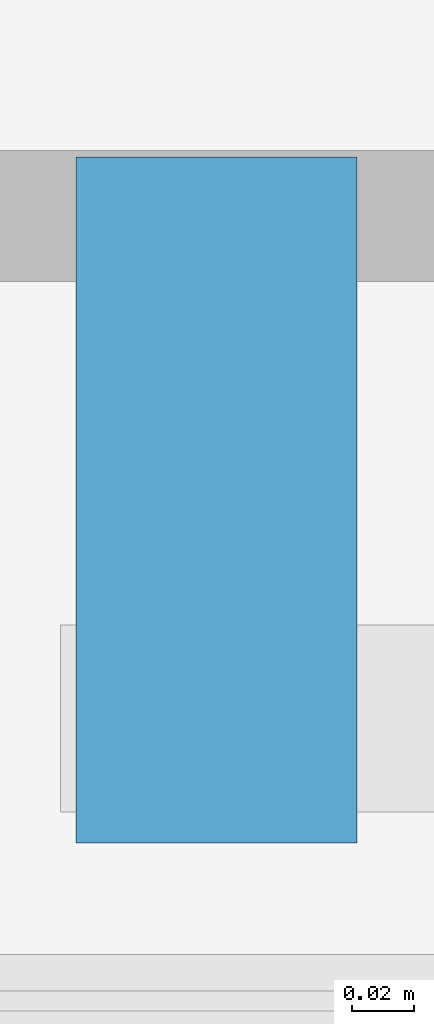
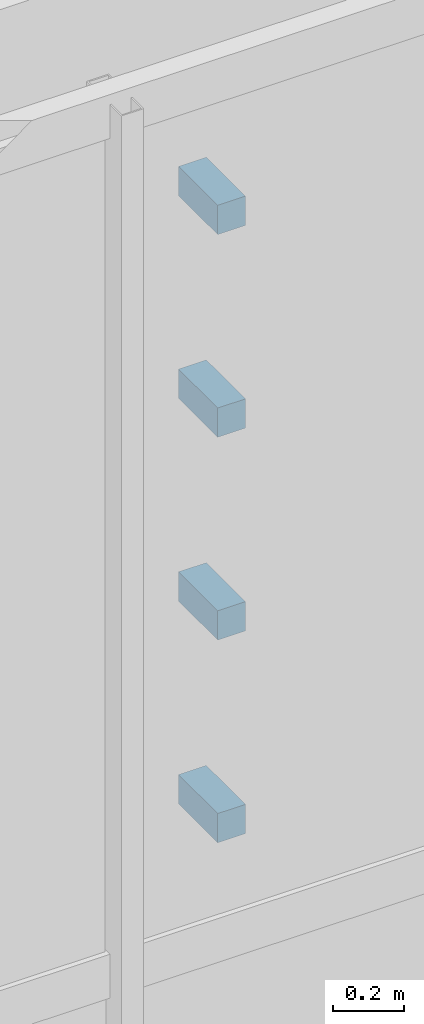
# One storey, part 33 of 38: 4 discrete accessories.
"""IFC4 building model written with IfcOpenShell, lengths in metres."""

from ifc_helpers import new_model, si_unit, direction, frame, origin, origin_2d, place, context, subcontext, project, spatial, rectangle, extrude, material, type_object, element, save


model = new_model("IFC4")

# Units and contexts
model_context = context("Model", 3, precision=1e-05, world=origin(), true_north=direction((0.0, 1.0)))
body_context = subcontext(model_context, "Body", "Model", "MODEL_VIEW")
ifc_project = project(units=[si_unit("LENGTHUNIT", "METRE"), si_unit("AREAUNIT", "SQUARE_METRE"), si_unit("VOLUMEUNIT", "CUBIC_METRE"), si_unit("PLANEANGLEUNIT", "RADIAN"), si_unit("MASSUNIT", "GRAM", prefix="KILO")], contexts=[model_context])

# Site, building, storey
site_placement = place(None, origin())
site = spatial("IfcSite", under=ifc_project, at=site_placement, CompositionType="ELEMENT")
building_placement = place(site_placement, origin())
building = spatial("IfcBuilding", under=site, at=building_placement, Name="Punatoya Terracotta Tower", CompositionType="ELEMENT")
storey_placement = place(building_placement, frame((0.0, 0.0, 147.89990234375)))
storey = spatial("IfcBuildingStorey", under=building, at=storey_placement, Name="L34", CompositionType="ELEMENT", Elevation=147.89990234375)

# Discrete accessories
ifc_material = material(Name="Steel S355", Category="steel")
discrete_accessory_type = type_object("IfcDiscreteAccessoryType", Name="ACC-BRK-220", PredefinedType="BRACKET", material=ifc_material)
for number, where, z_axis, x_axis, name in (
    (1, (-3.75, -18.27001953125, 1.10009765625), (0.0, 0.0, 1.0), (1.0, 0.0, 0.0), "L34 Baguette Louvre Column Bracket BAG-L34-S-01"),
    (2, (-3.75, -18.27001953125, 1.79345703125), (0.0, 0.0, 1.0), (1.0, 0.0, 0.0), "L34 Baguette Louvre Column Bracket BAG-L34-S-02"),
    (3, (-3.75, -18.27001953125, 2.48681640625), (0.0, 0.0, 1.0), (1.0, 0.0, 0.0), "L34 Baguette Louvre Column Bracket BAG-L34-S-03"),
    (4, (-3.75, -18.27001953125, 3.179931640625), (0.0, 0.0, 1.0), (1.0, 0.0, 0.0), "L34 Baguette Louvre Column Bracket BAG-L34-S-04"),
):
    element("IfcDiscreteAccessory", number, at=place(storey_placement, frame(where, z_axis=z_axis, x_axis=x_axis)), inside=storey, type_object=discrete_accessory_type, Name=name, PredefinedType="BRACKET", context=body_context, shape_type="SweptSolid", body=[
        extrude(rectangle(XDim=0.090087890625, YDim=0.219970703125, at=origin_2d()), origin(), (0.0, 0.0, 1.0), 0.10009765625),
    ])

save(model, "model.ifc")
